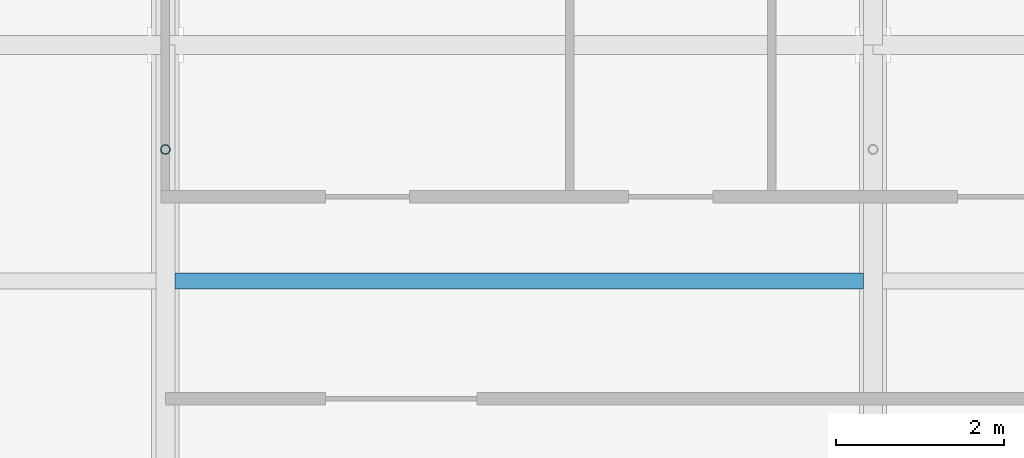
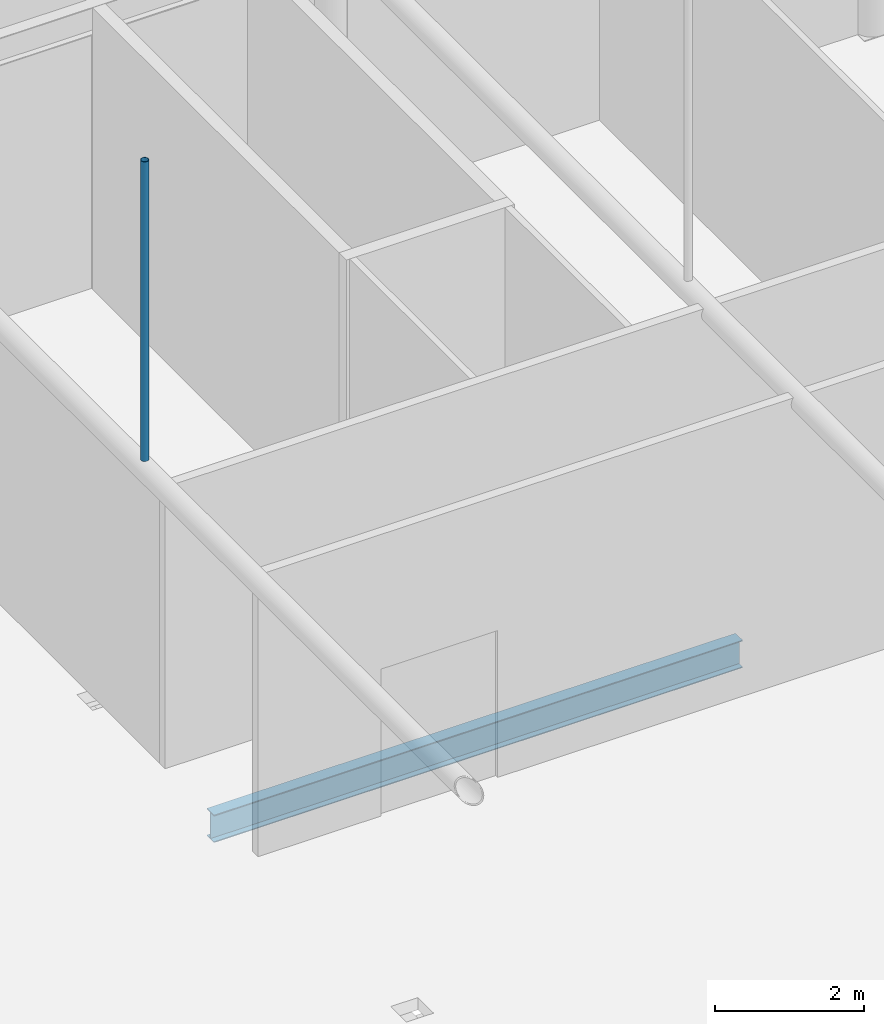
# One storey, part 62 of 167: 1 beam, 1 member.
"""IFC4 building model written with IfcOpenShell, lengths in metres."""

from ifc_helpers import new_model, si_unit, direction, frame, origin, origin_2d, place, context, subcontext, project, spatial, hollow_circle, i_section, extrude, material, material_profile, profile_set, type_object, element, save


model = new_model("IFC4")

# Units and contexts
model_context = context("Model", 3, precision=1e-05, world=origin(), true_north=direction((0.0, 1.0)))
body_context = subcontext(model_context, "Body", "Model", "MODEL_VIEW")
ifc_project = project(units=[si_unit("LENGTHUNIT", "METRE"), si_unit("AREAUNIT", "SQUARE_METRE"), si_unit("VOLUMEUNIT", "CUBIC_METRE"), si_unit("PLANEANGLEUNIT", "RADIAN"), si_unit("MASSUNIT", "GRAM", prefix="KILO")], contexts=[model_context])

# Site, building, storey
site_placement = place(None, origin())
site = spatial("IfcSite", under=ifc_project, at=site_placement, CompositionType="ELEMENT")
building_placement = place(site_placement, origin())
building = spatial("IfcBuilding", under=site, at=building_placement, Name="Catenary Quay Ferry Terminal", CompositionType="ELEMENT")
storey_placement = place(building_placement, frame((0.0, 0.0, 6.0)))
storey = spatial("IfcBuildingStorey", under=building, at=storey_placement, Name="L01", CompositionType="ELEMENT", Elevation=6.0)

# Beam
ifc_material_1 = material(Name="Steel S355", Category="steel")
ifc_material_profile_1 = material_profile(ifc_material_1, i_section(OverallWidth=0.18994140625, OverallDepth=0.449951171875, WebThickness=0.009521484375, FlangeThickness=0.0146484375, at=origin_2d()), Name="IPE 450")
ifc_profile_set_1 = profile_set([ifc_material_profile_1], Name="Steel S355")
beam_type = type_object("IfcBeamType", Name="B4 IPE 450", PredefinedType="BEAM", material=ifc_profile_set_1)
beam_placement = place(storey_placement, frame((67.31396484375, 89.60009765625, -0.425048828125), z_axis=(1.0, 0.0, 0.0), x_axis=(0.0, 1.0, 0.0)))
element("IfcBeam", 1, at=beam_placement, inside=storey, type_object=beam_type, Name="Beam B4-018", PredefinedType="BEAM", context=body_context, shape_type="SweptSolid", body=[
    extrude(i_section(OverallWidth=0.18994140625, OverallDepth=0.449951171875, WebThickness=0.009521484375, FlangeThickness=0.0146484375, at=origin_2d()), origin(), (0.0, 0.0, 1.0), 8.172119140625),
])

# Member
ifc_material_2 = material(Name="Steel S355", Category="steel")
ifc_material_profile_2 = material_profile(ifc_material_2, hollow_circle(Radius=0.05712890625, WallThickness=0.00634765625, at=origin_2d()), Name="CHS 114.3x6.3")
ifc_profile_set_2 = profile_set([ifc_material_profile_2], Name="Steel S355")
member_type = type_object("IfcMemberType", Name="HG1 CHS 114.3x6.3", PredefinedType="POST", material=ifc_profile_set_2)
member_placement = place(storey_placement, frame((67.199951171875, 91.159912109375, 4.654052734375), z_axis=(0.0, 0.0, 1.0), x_axis=(1.0, 0.0, 0.0)))
element("IfcMember", 2, at=member_placement, inside=storey, type_object=member_type, Name="Hanger VA-06-07", PredefinedType="POST", context=body_context, shape_type="SweptSolid", body=[
    extrude(hollow_circle(Radius=0.05712890625, WallThickness=0.00634765625, at=origin_2d()), origin(), (0.0, 0.0, 1.0), 4.89599609375),
])

save(model, "model.ifc")
